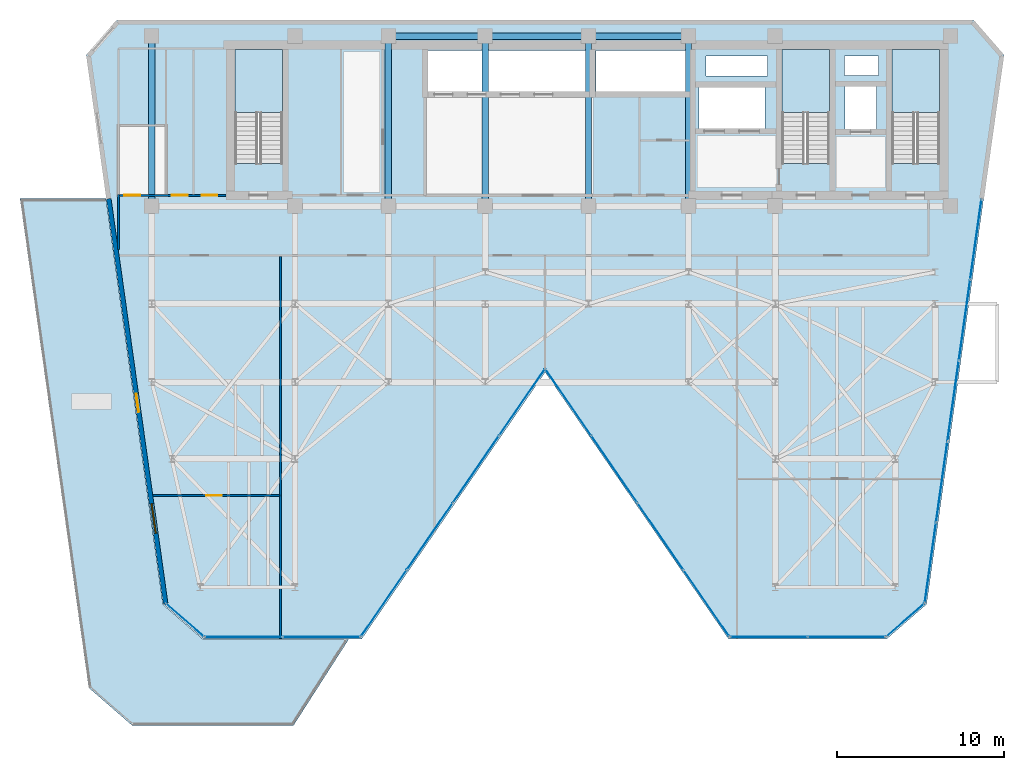
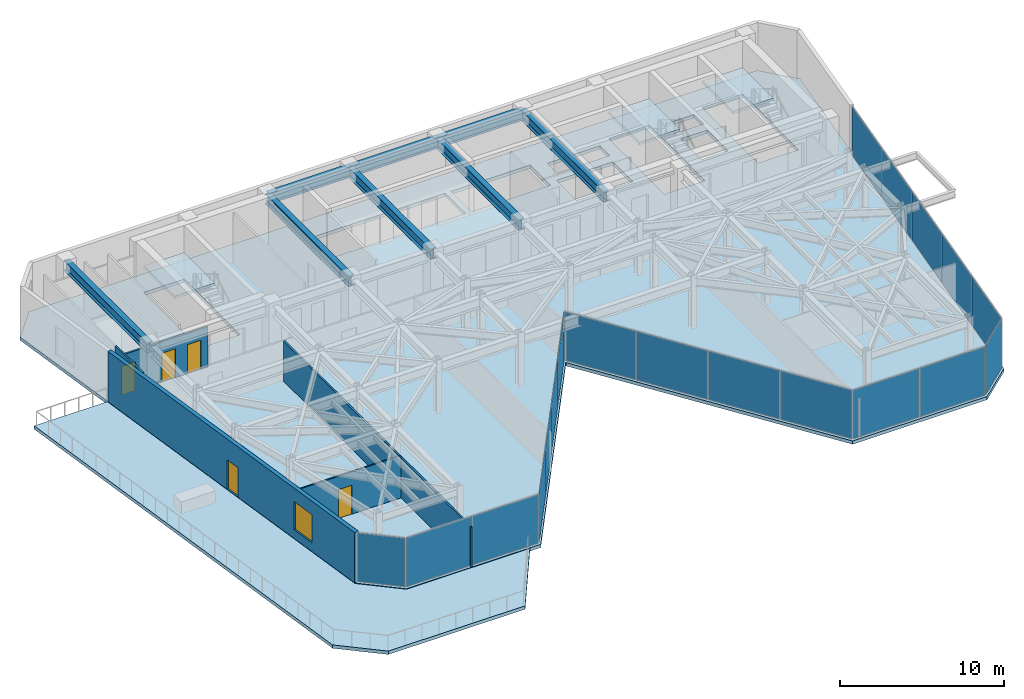
# One storey, part 16 of 21: 19 plates, 8 beams, 5 doors, 5 slabs, 5 walls, 1 window, 6 openings, 10 elements without a shape of their own.
"""IFC4 building model written with IfcOpenShell, lengths in metres."""

from ifc_helpers import new_model, si_unit, direction, frame, frame_2d, origin, origin_2d, place, context, subcontext, project, spatial, polyline, rectangle, i_section, outline, extrude, material, layer, layer_set, material_profile, profile_set, type_object, element, fill, aggregate, save


model = new_model("IFC4")

# Units and contexts
model_context = context("Model", 3, precision=1e-05, world=origin(), true_north=direction((0.0, 1.0)))
body_context = subcontext(model_context, "Body", "Model", "MODEL_VIEW")
ifc_project = project(units=[si_unit("LENGTHUNIT", "METRE"), si_unit("AREAUNIT", "SQUARE_METRE"), si_unit("VOLUMEUNIT", "CUBIC_METRE"), si_unit("PLANEANGLEUNIT", "RADIAN"), si_unit("MASSUNIT", "GRAM", prefix="KILO")], contexts=[model_context])

# Site, building, storey
site_placement = place(None, origin())
site = spatial("IfcSite", under=ifc_project, at=site_placement, CompositionType="ELEMENT")
building_placement = place(site_placement, origin())
building = spatial("IfcBuilding", under=site, at=building_placement, Name="Kravanh Interchange Tower", CompositionType="ELEMENT")
storey_placement = place(building_placement, frame((0.0, 0.0, 160.5)))
storey = spatial("IfcBuildingStorey", under=building, at=storey_placement, Name="L38", CompositionType="ELEMENT", Elevation=160.5)

# Beams
ifc_material_1 = material(Name="Structural Steel S355", Category="steel")
ifc_material_profile = material_profile(ifc_material_1, i_section(OverallWidth=0.381103515625, OverallDepth=0.77294921875, WebThickness=0.0166015625, FlangeThickness=0.027099609375, FilletRadius=0.02490234375, at=origin_2d()), Name="W30X173")
ifc_profile_set = profile_set([ifc_material_profile], Name="Structural Steel S355")
beam_type = type_object("IfcBeamType", Name="Floor Beam W30X173 Structural Steel S355", PredefinedType="BEAM", material=ifc_profile_set)
beam_1_placement = place(storey_placement, frame((50.800048828125, 47.550048828125, 3.368408203125), z_axis=(-1.0, 0.0, 0.0), x_axis=(0.0, -1.0, 0.0)))
element("IfcBeam", 1, at=beam_1_placement, inside=storey, type_object=beam_type, Name="L38 Primary Floor Girder 8", PredefinedType="BEAM", context=body_context, shape_type="SweptSolid", body=[
    extrude(i_section(OverallWidth=0.381103515625, OverallDepth=0.77294921875, WebThickness=0.0166015625, FlangeThickness=0.027099609375, FilletRadius=0.02490234375, at=origin_2d()), origin(), (0.0, 0.0, 1.0), 6.0),
])
for number, where, z_axis, x_axis, name in (
    (2, (50.800048828125, 47.550048828125, 3.368408203125), (0.0, -1.0, 0.0), (1.0, 0.0, 0.0), "L38 Primary Floor Girder 9"),
    (3, (44.800048828125, 37.35009765625, 3.368408203125), (0.0, 1.0, 0.0), (-1.0, 0.0, 0.0), "L38 Primary Floor Girder 14"),
):
    element("IfcBeam", number, at=place(storey_placement, frame(where, z_axis=z_axis, x_axis=x_axis)), inside=storey, type_object=beam_type, Name=name, PredefinedType="BEAM", context=body_context, shape_type="SweptSolid", body=[
        extrude(i_section(OverallWidth=0.381103515625, OverallDepth=0.77294921875, WebThickness=0.0166015625, FlangeThickness=0.027099609375, FilletRadius=0.02490234375, at=origin_2d()), origin(), (0.0, 0.0, 1.0), 10.199951171875),
    ])
beam_2_placement = place(storey_placement, frame((44.800048828125, 47.550048828125, 3.368408203125), z_axis=(-1.0, 0.0, 0.0), x_axis=(0.0, -1.0, 0.0)))
element("IfcBeam", 4, at=beam_2_placement, inside=storey, type_object=beam_type, Name="L38 Primary Floor Girder 15", PredefinedType="BEAM", context=body_context, shape_type="SweptSolid", body=[
    extrude(i_section(OverallWidth=0.381103515625, OverallDepth=0.77294921875, WebThickness=0.0166015625, FlangeThickness=0.027099609375, FilletRadius=0.02490234375, at=origin_2d()), origin(), (0.0, 0.0, 1.0), 6.199951171875),
])
beam_3_placement = place(storey_placement, frame((38.60009765625, 37.35009765625, 3.368408203125), z_axis=(0.0, 1.0, 0.0), x_axis=(-1.0, 0.0, 0.0)))
element("IfcBeam", 5, at=beam_3_placement, inside=storey, type_object=beam_type, Name="L38 Primary Floor Girder 18", PredefinedType="BEAM", context=body_context, shape_type="SweptSolid", body=[
    extrude(i_section(OverallWidth=0.381103515625, OverallDepth=0.77294921875, WebThickness=0.0166015625, FlangeThickness=0.027099609375, FilletRadius=0.02490234375, at=origin_2d()), origin(), (0.0, 0.0, 1.0), 10.199951171875),
])
beam_4_placement = place(storey_placement, frame((38.60009765625, 47.550048828125, 3.368408203125), z_axis=(-1.0, 0.0, 0.0), x_axis=(0.0, -1.0, 0.0)))
element("IfcBeam", 6, at=beam_4_placement, inside=storey, type_object=beam_type, Name="L38 Primary Floor Girder 19", PredefinedType="BEAM", context=body_context, shape_type="SweptSolid", body=[
    extrude(i_section(OverallWidth=0.381103515625, OverallDepth=0.77294921875, WebThickness=0.0166015625, FlangeThickness=0.027099609375, FilletRadius=0.02490234375, at=origin_2d()), origin(), (0.0, 0.0, 1.0), 5.800048828125),
])
for number, where, z_axis, x_axis, name in (
    (7, (32.800048828125, 37.35009765625, 3.368408203125), (0.0, 1.0, 0.0), (-1.0, 0.0, 0.0), "L38 Primary Floor Girder 22"),
    (8, (18.60009765625, 37.35009765625, 3.368408203125), (0.0, 1.0, 0.0), (-1.0, 0.0, 0.0), "L38 Primary Floor Girder 29"),
):
    element("IfcBeam", number, at=place(storey_placement, frame(where, z_axis=z_axis, x_axis=x_axis)), inside=storey, type_object=beam_type, Name=name, PredefinedType="BEAM", context=body_context, shape_type="SweptSolid", body=[
        extrude(i_section(OverallWidth=0.381103515625, OverallDepth=0.77294921875, WebThickness=0.0166015625, FlangeThickness=0.027099609375, FilletRadius=0.02490234375, at=origin_2d()), origin(), (0.0, 0.0, 1.0), 10.199951171875),
    ])

# Slab
ifc_material_2 = material(Name="Concrete C50/60", Category="concrete")
ifc_layer_1 = layer(ifc_material_2, 0.2451171875)
ifc_layer_set_1 = layer_set([ifc_layer_1], Name="Composite Floor Slab Concrete C50/60 245mm")
slab_type_1 = type_object("IfcSlabType", Name="Composite Floor Slab Concrete C50/60 245mm", PredefinedType="FLOOR", material=ifc_layer_set_1)
slab_1_placement = place(storey_placement, frame((0.0, 0.0, -0.2451171875)))
element("IfcSlab", 9, at=slab_1_placement, inside=storey, type_object=slab_type_1, Name="L38 Structural Floor Slab", PredefinedType="FLOOR", context=body_context, shape_type="SweptSolid", body=[
    extrude(outline(polyline([(19.32177734375, 13.4794921875), (21.714111328125, 11.39990234375), (31.199951171875, 11.39990234375), (42.199951171875, 27.39990234375), (53.199951171875, 11.39990234375), (62.685791015625, 11.39990234375), (65.078125, 13.4794921875), (69.707763671875, 46.42041015625), (67.89990234375, 48.5), (16.5, 48.5), (14.6923828125, 46.42041015625), (19.32177734375, 13.4794921875)]), holes=[polyline([(65.85009765625, 39.925048828125), (65.85009765625, 46.75), (63.0, 46.75), (63.0, 39.925048828125), (65.85009765625, 39.925048828125)]), polyline([(59.25, 39.925048828125), (59.25, 46.75), (56.39990234375, 46.75), (56.39990234375, 39.925048828125), (59.25, 39.925048828125)]), polyline([(26.449951171875, 39.925048828125), (26.449951171875, 46.75), (23.60009765625, 46.75), (23.60009765625, 39.925048828125), (26.449951171875, 39.925048828125)]), polyline([(35.179931640625, 44.219970703125), (44.840087890625, 44.219970703125), (44.840087890625, 46.699951171875), (35.179931640625, 46.699951171875), (35.179931640625, 44.219970703125)]), polyline([(45.239990234375, 44.219970703125), (50.840087890625, 44.219970703125), (50.840087890625, 46.699951171875), (45.239990234375, 46.699951171875), (45.239990234375, 44.219970703125)]), polyline([(51.419921875, 42.02001953125), (55.3798828125, 42.02001953125), (55.3798828125, 44.47998046875), (51.419921875, 44.47998046875), (51.419921875, 42.02001953125)]), polyline([(60.179931640625, 41.97998046875), (62.06005859375, 41.97998046875), (62.06005859375, 44.52001953125), (60.179931640625, 44.52001953125), (60.179931640625, 41.97998046875)]), polyline([(60.14990234375, 45.199951171875), (62.199951171875, 45.199951171875), (62.199951171875, 46.35009765625), (60.14990234375, 46.35009765625), (60.14990234375, 45.199951171875)]), polyline([(51.85009765625, 45.14990234375), (55.550048828125, 45.14990234375), (55.550048828125, 46.35009765625), (51.85009765625, 46.35009765625), (51.85009765625, 45.14990234375)])]), origin(), (0.0, 0.0, 1.0), 0.2451171875),
])

# Stair, slab
ifc_material_3 = material(Name="Concrete C50/60", Category="concrete")
stair_type = type_object("IfcStairType", Name="Core Fire Exit Dogleg Stair Concrete C50/60", PredefinedType="HALF_TURN_STAIR", material=ifc_material_3)
stair_1_placement = place(storey_placement, origin())
stair_1 = element("IfcStair", 10, at=stair_1_placement, inside=storey, type_object=stair_type, Name="L38 Exit Stair ST1", PredefinedType="HALF_TURN_STAIR")
ifc_material_4 = material(Name="Concrete C50/60", Category="concrete")
ifc_layer_2 = layer(ifc_material_4, 0.199951171875)
ifc_layer_set_2 = layer_set([ifc_layer_2], Name="Concrete C50/60 Stair Half-Landing Slab 200mm")
slab_type_2 = type_object("IfcSlabType", Name="Concrete C50/60 Stair Half-Landing Slab 200mm", PredefinedType="LANDING", material=ifc_layer_set_2)
slab_2_placement = place(storey_placement, frame((0.0, 0.0, 1.800048828125)))
slab_2 = element("IfcSlab", 11, at=slab_2_placement, type_object=slab_type_2, Name="ST1 landing 1", PredefinedType="LANDING", context=body_context, shape_type="SweptSolid", body=[
    extrude(outline(polyline([(65.85009765625, 42.97998046875), (65.85009765625, 46.75), (63.0, 46.75), (63.0, 42.97998046875), (65.85009765625, 42.97998046875)])), origin(), (0.0, 0.0, 1.0), 0.199951171875),
])
aggregate(stair_1, [slab_2])

stair_2_placement = place(storey_placement, origin())
stair_2 = element("IfcStair", 12, at=stair_2_placement, inside=storey, type_object=stair_type, Name="L38 Exit Stair ST2", PredefinedType="HALF_TURN_STAIR")
slab_3_placement = place(storey_placement, frame((0.0, 0.0, 1.800048828125)))
slab_3 = element("IfcSlab", 13, at=slab_3_placement, type_object=slab_type_2, Name="ST2 landing 1", PredefinedType="LANDING", context=body_context, shape_type="SweptSolid", body=[
    extrude(outline(polyline([(59.25, 42.97998046875), (59.25, 46.75), (56.39990234375, 46.75), (56.39990234375, 42.97998046875), (59.25, 42.97998046875)])), origin(), (0.0, 0.0, 1.0), 0.199951171875),
])
aggregate(stair_2, [slab_3])

stair_3_placement = place(storey_placement, origin())
stair_3 = element("IfcStair", 14, at=stair_3_placement, inside=storey, type_object=stair_type, Name="L38 Exit Stair ST3", PredefinedType="HALF_TURN_STAIR")
slab_4_placement = place(storey_placement, frame((0.0, 0.0, 1.800048828125)))
slab_4 = element("IfcSlab", 15, at=slab_4_placement, type_object=slab_type_2, Name="ST3 landing 1", PredefinedType="LANDING", context=body_context, shape_type="SweptSolid", body=[
    extrude(outline(polyline([(26.449951171875, 42.97998046875), (26.449951171875, 46.75), (23.60009765625, 46.75), (23.60009765625, 42.97998046875), (26.449951171875, 42.97998046875)])), origin(), (0.0, 0.0, 1.0), 0.199951171875),
])
aggregate(stair_3, [slab_4])

# Curtain wall, plates
ifc_material_5 = material(Name="Anodised Bronze Aluminium", Category="aluminium")
ifc_layer_3 = layer(ifc_material_5, 0.179931640625)
ifc_layer_set_3 = layer_set([ifc_layer_3], Name="Unitised Curtain Wall System CW-Z3 Upper Office")
curtain_wall_type = type_object("IfcCurtainWallType", Name="Unitised Curtain Wall System CW-Z3 Upper Office", PredefinedType="NOTDEFINED", material=ifc_layer_set_3)
curtain_wall_1_placement = place(storey_placement, origin())
curtain_wall_1 = element("IfcCurtainWall", 16, at=curtain_wall_1_placement, inside=storey, type_object=curtain_wall_type, Name="L38 Unitised Curtain Wall CW-L38-01", PredefinedType="NOTDEFINED")
ifc_material_6 = material(Name="Low-E Laminated Architectural Glass", Category="glass")
ifc_layer_4 = layer(ifc_material_6, 0.02392578125)
ifc_layer_set_4 = layer_set([ifc_layer_4], Name="High-Selectivity Double Glazing 24mm")
plate_type = type_object("IfcPlateType", Name="High-Selectivity Double Glazing 24mm", PredefinedType="CURTAIN_PANEL", material=ifc_layer_set_4)
plate_1_placement = place(storey_placement, frame((68.031982421875, 35.359130859375, 0.06005859375), z_axis=(0.0, 0.0, 1.0), x_axis=(-0.139172209446, -0.990268194035, 0.0)))
plate_1 = element("IfcPlate", 17, at=plate_1_placement, type_object=plate_type, Name="CW-Z3 panel 1.1", PredefinedType="CURTAIN_PANEL", context=body_context, shape_type="SweptSolid", body=[
    extrude(rectangle(XDim=4.8095703125, YDim=0.02392578125, at=origin_2d()), origin(), (0.0, 0.0, 1.0), 3.635009765625),
])
plate_2_placement = place(storey_placement, frame((67.352294921875, 30.522216796875, 0.06005859375), z_axis=(0.0, 0.0, 1.0), x_axis=(-0.139172209446, -0.990268194035, 0.0)))
plate_2 = element("IfcPlate", 18, at=plate_2_placement, type_object=plate_type, Name="CW-Z3 panel 2.1", PredefinedType="CURTAIN_PANEL", context=body_context, shape_type="SweptSolid", body=[
    extrude(rectangle(XDim=4.839599609375, YDim=0.02392578125, at=origin_2d()), origin(), (0.0, 0.0, 1.0), 3.635009765625),
])
plate_3_placement = place(storey_placement, frame((66.67041015625, 25.67041015625, 0.06005859375), z_axis=(0.0, 0.0, 1.0), x_axis=(-0.139172209446, -0.990268194035, 0.0)))
plate_3 = element("IfcPlate", 19, at=plate_3_placement, type_object=plate_type, Name="CW-Z3 panel 3.1", PredefinedType="CURTAIN_PANEL", context=body_context, shape_type="SweptSolid", body=[
    extrude(rectangle(XDim=4.839599609375, YDim=0.02392578125, at=origin_2d()), origin(), (0.0, 0.0, 1.0), 3.635009765625),
])
plate_4_placement = place(storey_placement, frame((65.988525390625, 20.818603515625, 0.06005859375), z_axis=(0.0, 0.0, 1.0), x_axis=(-0.139172209446, -0.990268194035, 0.0)))
plate_4 = element("IfcPlate", 20, at=plate_4_placement, type_object=plate_type, Name="CW-Z3 panel 4.1", PredefinedType="CURTAIN_PANEL", context=body_context, shape_type="SweptSolid", body=[
    extrude(rectangle(XDim=4.839599609375, YDim=0.02392578125, at=origin_2d()), origin(), (0.0, 0.0, 1.0), 3.635009765625),
])
plate_5_placement = place(storey_placement, frame((65.30859375, 15.9814453125, 0.06005859375), z_axis=(0.0, 0.0, 1.0), x_axis=(-0.139172209446, -0.990268194035, 0.0)))
plate_5 = element("IfcPlate", 21, at=plate_5_placement, type_object=plate_type, Name="CW-Z3 panel 5.1", PredefinedType="CURTAIN_PANEL", context=body_context, shape_type="SweptSolid", body=[
    extrude(rectangle(XDim=4.8095703125, YDim=0.02392578125, at=origin_2d()), origin(), (0.0, 0.0, 1.0), 3.635009765625),
])
aggregate(curtain_wall_1, [plate_1, plate_2, plate_3, plate_4, plate_5])

# Curtain wall, plate
curtain_wall_2_placement = place(storey_placement, origin())
curtain_wall_2 = element("IfcCurtainWall", 22, at=curtain_wall_2_placement, inside=storey, type_object=curtain_wall_type, Name="L38 Unitised Curtain Wall CW-L38-02", PredefinedType="NOTDEFINED")
plate_6_placement = place(storey_placement, frame((63.80322265625, 12.5302734375, 0.06005859375), z_axis=(0.0, 0.0, 1.0), x_axis=(-0.754716645379, -0.65605090137, 0.0)))
plate_6 = element("IfcPlate", 23, at=plate_6_placement, type_object=plate_type, Name="CW-Z3 panel 1.1", PredefinedType="CURTAIN_PANEL", context=body_context, shape_type="SweptSolid", body=[
    extrude(rectangle(XDim=2.960205078125, YDim=0.02392578125, at=origin_2d()), origin(), (0.0, 0.0, 1.0), 3.635009765625),
])
aggregate(curtain_wall_2, [plate_6])

# Curtain wall, plates
curtain_wall_3_placement = place(storey_placement, origin())
curtain_wall_3 = element("IfcCurtainWall", 24, at=curtain_wall_3_placement, inside=storey, type_object=curtain_wall_type, Name="L38 Unitised Curtain Wall CW-L38-03", PredefinedType="NOTDEFINED")
plate_7_placement = place(storey_placement, frame((60.281494140625, 11.52001953125, 0.06005859375), z_axis=(0.0, 0.0, 1.0), x_axis=(-1.0, 0.0, 0.0)))
plate_7 = element("IfcPlate", 25, at=plate_7_placement, type_object=plate_type, Name="CW-Z3 panel 1.1", PredefinedType="CURTAIN_PANEL", context=body_context, shape_type="SweptSolid", body=[
    extrude(rectangle(XDim=4.598876953125, YDim=0.02392578125, at=origin_2d()), origin(), (0.0, 0.0, 1.0), 3.635009765625),
])
plate_8_placement = place(storey_placement, frame((55.62255859375, 11.52001953125, 0.06005859375), z_axis=(0.0, 0.0, 1.0), x_axis=(-1.0, 0.0, 0.0)))
plate_8 = element("IfcPlate", 26, at=plate_8_placement, type_object=plate_type, Name="CW-Z3 panel 2.1", PredefinedType="CURTAIN_PANEL", context=body_context, shape_type="SweptSolid", body=[
    extrude(rectangle(XDim=4.598876953125, YDim=0.02392578125, at=origin_2d()), origin(), (0.0, 0.0, 1.0), 3.635009765625),
])
aggregate(curtain_wall_3, [plate_7, plate_8])

curtain_wall_4_placement = place(storey_placement, origin())
curtain_wall_4 = element("IfcCurtainWall", 27, at=curtain_wall_4_placement, inside=storey, type_object=curtain_wall_type, Name="L38 Unitised Curtain Wall CW-L38-04", PredefinedType="NOTDEFINED")
plate_9_placement = place(storey_placement, frame((51.871826171875, 13.5439453125, 0.06005859375), z_axis=(0.0, 0.0, 1.0), x_axis=(-0.566528388217, 0.824042223035, 0.0)))
plate_9 = element("IfcPlate", 28, at=plate_9_placement, type_object=plate_type, Name="CW-Z3 panel 1.1", PredefinedType="CURTAIN_PANEL", context=body_context, shape_type="SweptSolid", body=[
    extrude(rectangle(XDim=4.7919921875, YDim=0.02392578125, at=origin_2d()), origin(), (0.0, 0.0, 1.0), 3.635009765625),
])
plate_10_placement = place(storey_placement, frame((49.114501953125, 17.554443359375, 0.06005859375), z_axis=(0.0, 0.0, 1.0), x_axis=(-0.566528388217, 0.824042223035, 0.0)))
plate_10 = element("IfcPlate", 29, at=plate_10_placement, type_object=plate_type, Name="CW-Z3 panel 2.1", PredefinedType="CURTAIN_PANEL", context=body_context, shape_type="SweptSolid", body=[
    extrude(rectangle(XDim=4.822021484375, YDim=0.02392578125, at=origin_2d()), origin(), (0.0, 0.0, 1.0), 3.635009765625),
])
plate_11_placement = place(storey_placement, frame((46.3486328125, 21.577392578125, 0.06005859375), z_axis=(0.0, 0.0, 1.0), x_axis=(-0.566528388217, 0.824042223035, 0.0)))
plate_11 = element("IfcPlate", 30, at=plate_11_placement, type_object=plate_type, Name="CW-Z3 panel 3.1", PredefinedType="CURTAIN_PANEL", context=body_context, shape_type="SweptSolid", body=[
    extrude(rectangle(XDim=4.822021484375, YDim=0.02392578125, at=origin_2d()), origin(), (0.0, 0.0, 1.0), 3.635009765625),
])
plate_12_placement = place(storey_placement, frame((43.59130859375, 25.587890625, 0.06005859375), z_axis=(0.0, 0.0, 1.0), x_axis=(-0.566528388217, 0.824042223035, 0.0)))
plate_12 = element("IfcPlate", 31, at=plate_12_placement, type_object=plate_type, Name="CW-Z3 panel 4.1", PredefinedType="CURTAIN_PANEL", context=body_context, shape_type="SweptSolid", body=[
    extrude(rectangle(XDim=4.7919921875, YDim=0.02392578125, at=origin_2d()), origin(), (0.0, 0.0, 1.0), 3.635009765625),
])
aggregate(curtain_wall_4, [plate_9, plate_10, plate_11, plate_12])

curtain_wall_5_placement = place(storey_placement, origin())
curtain_wall_5 = element("IfcCurtainWall", 32, at=curtain_wall_5_placement, inside=storey, type_object=curtain_wall_type, Name="L38 Unitised Curtain Wall CW-L38-05", PredefinedType="NOTDEFINED")
plate_13_placement = place(storey_placement, frame((40.80859375, 25.587890625, 0.06005859375), z_axis=(0.0, 0.0, 1.0), x_axis=(-0.566528388217, -0.824042223035, 0.0)))
plate_13 = element("IfcPlate", 33, at=plate_13_placement, type_object=plate_type, Name="CW-Z3 panel 1.1", PredefinedType="CURTAIN_PANEL", context=body_context, shape_type="SweptSolid", body=[
    extrude(rectangle(XDim=4.7919921875, YDim=0.02392578125, at=origin_2d()), origin(), (0.0, 0.0, 1.0), 3.635009765625),
])
plate_14_placement = place(storey_placement, frame((38.05126953125, 21.577392578125, 0.06005859375), z_axis=(0.0, 0.0, 1.0), x_axis=(-0.566528388217, -0.824042223035, 0.0)))
plate_14 = element("IfcPlate", 34, at=plate_14_placement, type_object=plate_type, Name="CW-Z3 panel 2.1", PredefinedType="CURTAIN_PANEL", context=body_context, shape_type="SweptSolid", body=[
    extrude(rectangle(XDim=4.822021484375, YDim=0.02392578125, at=origin_2d()), origin(), (0.0, 0.0, 1.0), 3.635009765625),
])
plate_15_placement = place(storey_placement, frame((35.28564453125, 17.554443359375, 0.06005859375), z_axis=(0.0, 0.0, 1.0), x_axis=(-0.566528388217, -0.824042223035, 0.0)))
plate_15 = element("IfcPlate", 35, at=plate_15_placement, type_object=plate_type, Name="CW-Z3 panel 3.1", PredefinedType="CURTAIN_PANEL", context=body_context, shape_type="SweptSolid", body=[
    extrude(rectangle(XDim=4.822021484375, YDim=0.02392578125, at=origin_2d()), origin(), (0.0, 0.0, 1.0), 3.635009765625),
])
plate_16_placement = place(storey_placement, frame((32.5283203125, 13.5439453125, 0.06005859375), z_axis=(0.0, 0.0, 1.0), x_axis=(-0.566528388217, -0.824042223035, 0.0)))
plate_16 = element("IfcPlate", 36, at=plate_16_placement, type_object=plate_type, Name="CW-Z3 panel 4.1", PredefinedType="CURTAIN_PANEL", context=body_context, shape_type="SweptSolid", body=[
    extrude(rectangle(XDim=4.7919921875, YDim=0.02392578125, at=origin_2d()), origin(), (0.0, 0.0, 1.0), 3.635009765625),
])
aggregate(curtain_wall_5, [plate_13, plate_14, plate_15, plate_16])

curtain_wall_6_placement = place(storey_placement, origin())
curtain_wall_6 = element("IfcCurtainWall", 37, at=curtain_wall_6_placement, inside=storey, type_object=curtain_wall_type, Name="L38 Unitised Curtain Wall CW-L38-06", PredefinedType="NOTDEFINED")
plate_17_placement = place(storey_placement, frame((28.77734375, 11.52001953125, 0.06005859375), z_axis=(0.0, 0.0, 1.0), x_axis=(-1.0, 0.0, 0.0)))
plate_17 = element("IfcPlate", 38, at=plate_17_placement, type_object=plate_type, Name="CW-Z3 panel 1.1", PredefinedType="CURTAIN_PANEL", context=body_context, shape_type="SweptSolid", body=[
    extrude(rectangle(XDim=4.598876953125, YDim=0.02392578125, at=origin_2d()), origin(), (0.0, 0.0, 1.0), 3.635009765625),
])
plate_18_placement = place(storey_placement, frame((24.118408203125, 11.52001953125, 0.06005859375), z_axis=(0.0, 0.0, 1.0), x_axis=(-1.0, 0.0, 0.0)))
plate_18 = element("IfcPlate", 39, at=plate_18_placement, type_object=plate_type, Name="CW-Z3 panel 2.1", PredefinedType="CURTAIN_PANEL", context=body_context, shape_type="SweptSolid", body=[
    extrude(rectangle(XDim=4.598876953125, YDim=0.02392578125, at=origin_2d()), origin(), (0.0, 0.0, 1.0), 3.635009765625),
])
aggregate(curtain_wall_6, [plate_17, plate_18])

# Curtain wall, plate
curtain_wall_7_placement = place(storey_placement, origin())
curtain_wall_7 = element("IfcCurtainWall", 40, at=curtain_wall_7_placement, inside=storey, type_object=curtain_wall_type, Name="L38 Unitised Curtain Wall CW-L38-07", PredefinedType="NOTDEFINED")
plate_19_placement = place(storey_placement, frame((20.5966796875, 12.5302734375, 0.06005859375), z_axis=(0.0, 0.0, 1.0), x_axis=(-0.754716645379, 0.65605090137, 0.0)))
plate_19 = element("IfcPlate", 41, at=plate_19_placement, type_object=plate_type, Name="CW-Z3 panel 1.1", PredefinedType="CURTAIN_PANEL", context=body_context, shape_type="SweptSolid", body=[
    extrude(rectangle(XDim=2.960205078125, YDim=0.02392578125, at=origin_2d()), origin(), (0.0, 0.0, 1.0), 3.635009765625),
])
aggregate(curtain_wall_7, [plate_19])

# Slab
ifc_material_7 = material(Name="Concrete C50/60", Category="concrete")
ifc_layer_5 = layer(ifc_material_7, 0.25)
ifc_layer_set_5 = layer_set([ifc_layer_5], Name="Insulated Terrace Roof Slab Concrete C50/60 250mm")
slab_type_3 = type_object("IfcSlabType", Name="Insulated Terrace Roof Slab Concrete C50/60 250mm", PredefinedType="ROOF", material=ifc_layer_set_5)
slab_5_placement = place(storey_placement, frame((0.0, 0.0, -0.25)))
element("IfcSlab", 42, at=slab_5_placement, inside=storey, type_object=slab_type_3, Name="L38 Stepped Terrace Roof 1", PredefinedType="ROOF", context=body_context, shape_type="SweptSolid", body=[
    extrude(outline(polyline([(17.44482421875, 6.199951171875), (14.82470703125, 8.4775390625), (10.703857421875, 37.800048828125), (15.86328125, 37.800048828125), (19.2841796875, 13.459228515625), (21.69921875, 11.360107421875), (30.40771484375, 11.360107421875), (27.10009765625, 6.199951171875), (17.44482421875, 6.199951171875)])), origin(), (0.0, 0.0, 1.0), 0.25),
])

# Wall, openings, doors
ifc_material_8 = material(Name="Double Acoustic Gypsum Board and Mineral Wool")
ifc_layer_6 = layer(ifc_material_8, 0.1201171875)
ifc_layer_set_6 = layer_set([ifc_layer_6], Name="Acoustic Office Drywall Partition 120mm")
wall_type_1 = type_object("IfcWallType", Name="Acoustic Office Drywall Partition 120mm", PredefinedType="PARTITIONING", material=ifc_layer_set_6)
wall_1_placement = place(storey_placement, frame((16.6201171875, 38.0, 0.0), z_axis=(0.0, 0.0, 1.0), x_axis=(1.0, 0.0, 0.0)))
wall_1 = element("IfcWall", 43, at=wall_1_placement, inside=storey, type_object=wall_type_1, Name="L38 Restroom Corridor Wall 9", PredefinedType="PARTITIONING", context=body_context, shape_type="SweptSolid", body=[
    extrude(rectangle(XDim=6.429931640625, YDim=0.1201171875, at=frame_2d((3.21484375, 0.0))), origin(), (0.0, 0.0, 1.0), 2.98193359375),
])
opening_1_placement = place(wall_1_placement, frame((0.348876953125, 0.0, 0.0)))
opening_1 = element("IfcOpeningElement", 44, at=opening_1_placement, cuts=wall_1, Name="Opening D-95", PredefinedType="OPENING", context=body_context, shape_type="SweptSolid", body=[
    extrude(rectangle(XDim=0.949951171875, YDim=2.14990234375, at=frame_2d((0.47509765625, 1.074951171875))), frame((0.0, 0.070068359375, 0.0), z_axis=(0.0, -1.0, 0.0), x_axis=(1.0, 0.0, 0.0)), (0.0, 0.0, 1.0), 0.14013671875),
])
opening_2_placement = place(wall_1_placement, frame((3.18505859375, 0.0, 0.0)))
opening_2 = element("IfcOpeningElement", 45, at=opening_2_placement, cuts=wall_1, Name="Opening D-95", PredefinedType="OPENING", context=body_context, shape_type="SweptSolid", body=[
    extrude(rectangle(XDim=0.949951171875, YDim=2.14990234375, at=frame_2d((0.47509765625, 1.074951171875))), frame((0.0, 0.070068359375, 0.0), z_axis=(0.0, -1.0, 0.0), x_axis=(1.0, 0.0, 0.0)), (0.0, 0.0, 1.0), 0.14013671875),
])
opening_3_placement = place(wall_1_placement, frame((4.97509765625, 0.0, 0.0)))
opening_3 = element("IfcOpeningElement", 46, at=opening_3_placement, cuts=wall_1, Name="Opening D-95", PredefinedType="OPENING", context=body_context, shape_type="SweptSolid", body=[
    extrude(rectangle(XDim=0.949951171875, YDim=2.14990234375, at=frame_2d((0.47509765625, 1.074951171875))), frame((0.0, 0.070068359375, 0.0), z_axis=(0.0, -1.0, 0.0), x_axis=(1.0, 0.0, 0.0)), (0.0, 0.0, 1.0), 0.14013671875),
])
ifc_material_9 = material(Name="Laminate Solid-Core Timber", Category="wood")
door_type_1 = type_object("IfcDoorType", Name="Accessible Restroom Door 950x2150", OperationType="NOTDEFINED", PredefinedType="DOOR", material=ifc_material_9)
door_1_placement = place(opening_1_placement, origin())
door_1 = element("IfcDoor", 47, at=door_1_placement, inside=storey, type_object=door_type_1, Name="L38 Accessible WC Door", OperationType="SINGLE_SWING_LEFT", OverallHeight=2.14990234375, OverallWidth=0.949951171875, PredefinedType="DOOR", context=body_context, shape_type="SweptSolid", body=[
    extrude(rectangle(XDim=0.949951171875, YDim=2.14990234375, at=frame_2d((0.47509765625, 1.074951171875))), frame((0.0, 0.02490234375, 0.0), z_axis=(0.0, -1.0, 0.0), x_axis=(1.0, 0.0, 0.0)), (0.0, 0.0, 1.0), 0.050048828125),
])
fill(opening_1, door_1)
door_2_placement = place(opening_2_placement, origin())
door_2 = element("IfcDoor", 48, at=door_2_placement, inside=storey, type_object=door_type_1, Name="L38 Female WC Door", OperationType="SINGLE_SWING_RIGHT", OverallHeight=2.14990234375, OverallWidth=0.949951171875, PredefinedType="DOOR", context=body_context, shape_type="SweptSolid", body=[
    extrude(rectangle(XDim=0.949951171875, YDim=2.14990234375, at=frame_2d((0.47509765625, 1.074951171875))), frame((0.0, 0.02490234375, 0.0), z_axis=(0.0, -1.0, 0.0), x_axis=(1.0, 0.0, 0.0)), (0.0, 0.0, 1.0), 0.050048828125),
])
fill(opening_2, door_2)
door_3_placement = place(opening_3_placement, origin())
door_3 = element("IfcDoor", 49, at=door_3_placement, inside=storey, type_object=door_type_1, Name="L38 Male WC Door", OperationType="SINGLE_SWING_LEFT", OverallHeight=2.14990234375, OverallWidth=0.949951171875, PredefinedType="DOOR", context=body_context, shape_type="SweptSolid", body=[
    extrude(rectangle(XDim=0.949951171875, YDim=2.14990234375, at=frame_2d((0.47509765625, 1.074951171875))), frame((0.0, 0.02490234375, 0.0), z_axis=(0.0, -1.0, 0.0), x_axis=(1.0, 0.0, 0.0)), (0.0, 0.0, 1.0), 0.050048828125),
])
fill(opening_3, door_3)

# Walls
wall_2_placement = place(storey_placement, frame((16.6201171875, 34.751953125, 0.0), z_axis=(0.0, 0.0, 1.0), x_axis=(0.0, 1.0, 0.0)))
element("IfcWall", 50, at=wall_2_placement, inside=storey, type_object=wall_type_1, Name="L38 Interior Partition 17", PredefinedType="PARTITIONING", context=body_context, shape_type="SweptSolid", body=[
    extrude(rectangle(XDim=3.298095703125, YDim=0.1201171875, at=frame_2d((1.64892578125, 0.0))), origin(), (0.0, 0.0, 1.0), 3.7548828125),
])
wall_3_placement = place(storey_placement, frame((26.340087890625, 11.4150390625, 0.0), z_axis=(0.0, 0.0, 1.0), x_axis=(0.0, 1.0, 0.0)))
element("IfcWall", 51, at=wall_3_placement, inside=storey, type_object=wall_type_1, Name="L38 Interior Partition 21", PredefinedType="PARTITIONING", context=body_context, shape_type="SweptSolid", body=[
    extrude(rectangle(XDim=22.9169921875, YDim=0.1201171875, at=frame_2d((11.45849609375, 0.0))), origin(), (0.0, 0.0, 1.0), 2.98193359375),
])

# Wall, opening, door
ifc_material_10 = material(Name="Moisture-Resistant Gypsum Board and Mineral Wool")
ifc_layer_7 = layer(ifc_material_10, 0.10009765625)
ifc_layer_set_7 = layer_set([ifc_layer_7], Name="En-Suite Moisture-Resistant Partition 100mm")
wall_type_2 = type_object("IfcWallType", Name="En-Suite Moisture-Resistant Partition 100mm", PredefinedType="PARTITIONING", material=ifc_layer_set_7)
wall_4_placement = place(storey_placement, frame((18.693115234375, 20.0, 0.0), z_axis=(0.0, 0.0, 1.0), x_axis=(1.0, 0.0, 0.0)))
wall_4 = element("IfcWall", 52, at=wall_4_placement, inside=storey, type_object=wall_type_2, Name="L38 Interior Partition 20", PredefinedType="PARTITIONING", context=body_context, shape_type="SweptSolid", body=[
    extrude(rectangle(XDim=7.578857421875, YDim=0.10009765625, at=frame_2d((3.78955078125, 0.0))), origin(), (0.0, 0.0, 1.0), 3.14697265625),
])
opening_4_placement = place(wall_4_placement, frame((3.172119140625, 0.0, 0.0)))
opening_4 = element("IfcOpeningElement", 53, at=opening_4_placement, cuts=wall_4, Name="Opening D-95", PredefinedType="OPENING", context=body_context, shape_type="SweptSolid", body=[
    extrude(rectangle(XDim=0.949951171875, YDim=2.14990234375, at=frame_2d((0.47509765625, 1.074951171875))), frame((0.0, 0.06005859375, 0.0), z_axis=(0.0, -1.0, 0.0), x_axis=(1.0, 0.0, 0.0)), (0.0, 0.0, 1.0), 0.1201171875),
])
door_4_placement = place(opening_4_placement, origin())
door_4 = element("IfcDoor", 54, at=door_4_placement, inside=storey, type_object=door_type_1, Name="L38 SW Review Meeting Inner Door", OperationType="SINGLE_SWING_LEFT", OverallHeight=2.14990234375, OverallWidth=0.949951171875, PredefinedType="DOOR", context=body_context, shape_type="SweptSolid", body=[
    extrude(rectangle(XDim=0.949951171875, YDim=2.14990234375, at=frame_2d((0.47509765625, 1.074951171875))), frame((0.0, 0.02490234375, 0.0), z_axis=(0.0, -1.0, 0.0), x_axis=(1.0, 0.0, 0.0)), (0.0, 0.0, 1.0), 0.050048828125),
])
fill(opening_4, door_4)

# Wall, openings, door, window
ifc_material_11 = material(Name="Insulated Precast Concrete C40/50 with Bronze Cladding", Category="concrete")
ifc_layer_8 = layer(ifc_material_11, 0.280029296875)
ifc_layer_set_8 = layer_set([ifc_layer_8], Name="Exterior Insulated Concrete C40/50 Bronze Spandrel Wall 280mm")
wall_type_3 = type_object("IfcWallType", Name="Exterior Insulated Concrete C40/50 Bronze Spandrel Wall 280mm", PredefinedType="STANDARD", material=ifc_layer_set_8)
wall_5_placement = place(storey_placement, frame((19.434326171875, 13.540771484375, 0.0), z_axis=(0.0, 0.0, 1.0), x_axis=(-0.139173290738, 0.99026804207, 0.0)))
wall_5 = element("IfcWall", 55, at=wall_5_placement, inside=storey, type_object=wall_type_3, Name="L38 Exterior Wall 1", PredefinedType="STANDARD", context=body_context, shape_type="SweptSolid", body=[
    extrude(rectangle(XDim=24.497802734375, YDim=0.280029296875, at=frame_2d((12.2490234375, 0.0))), origin(), (0.0, 0.0, 1.0), 3.7548828125),
])
opening_5_placement = place(wall_5_placement, frame((11.578369140625, 0.0, 0.0)))
opening_5 = element("IfcOpeningElement", 56, at=opening_5_placement, cuts=wall_5, Name="Opening ED-TERR110", PredefinedType="OPENING", context=body_context, shape_type="SweptSolid", body=[
    extrude(rectangle(XDim=1.10009765625, YDim=2.199951171875, at=frame_2d((0.550048828125, 1.10009765625))), frame((0.0, 0.14990234375, 0.0), z_axis=(0.0, -1.0, 0.0), x_axis=(1.0, 0.0, 0.0)), (0.0, 0.0, 1.0), 0.300048828125),
])
opening_6_placement = place(wall_5_placement, frame((4.231201171875, 0.0, 0.64990234375)))
opening_6 = element("IfcOpeningElement", 57, at=opening_6_placement, cuts=wall_5, Name="Opening WN-180X210", PredefinedType="OPENING", context=body_context, shape_type="SweptSolid", body=[
    extrude(rectangle(XDim=1.800048828125, YDim=2.10009765625, at=frame_2d((0.89990234375, 1.050048828125))), frame((0.0, 0.14990234375, 0.0), z_axis=(0.0, -1.0, 0.0), x_axis=(1.0, 0.0, 0.0)), (0.0, 0.0, 1.0), 0.300048828125),
])
ifc_material_12 = material(Name="Thermally Broken Bronze Aluminium and Laminated Glass", Category="aluminium")
door_type_2 = type_object("IfcDoorType", Name="Terrace Access Glazed Door 1100x2200", OperationType="NOTDEFINED", PredefinedType="DOOR", material=ifc_material_12)
door_5_placement = place(opening_5_placement, origin())
door_5 = element("IfcDoor", 58, at=door_5_placement, inside=storey, type_object=door_type_2, Name="L38 Stepped Sky Terrace Access Door", OperationType="SINGLE_SWING_RIGHT", OverallHeight=2.199951171875, OverallWidth=1.10009765625, PredefinedType="DOOR", context=body_context, shape_type="SweptSolid", body=[
    extrude(rectangle(XDim=1.10009765625, YDim=2.199951171875, at=frame_2d((0.550048828125, 1.10009765625))), frame((0.0, 0.02490234375, 0.0), z_axis=(0.0, -1.0, 0.0), x_axis=(1.0, 0.0, 0.0)), (0.0, 0.0, 1.0), 0.050048828125),
])
fill(opening_5, door_5)
ifc_material_13 = material(Name="Thermally Broken Bronze Aluminium and Low-E Glass", Category="aluminium")
window_type = type_object("IfcWindowType", Name="Tower Pier Window 1800x2100", PartitioningType="SINGLE_PANEL", PredefinedType="WINDOW", material=ifc_material_13)
window_placement = place(opening_6_placement, origin())
window = element("IfcWindow", 59, at=window_placement, inside=storey, type_object=window_type, Name="L38 Terrace Facade Window", OverallHeight=2.10009765625, OverallWidth=1.800048828125, PartitioningType="SINGLE_PANEL", PredefinedType="WINDOW", context=body_context, shape_type="SweptSolid", body=[
    extrude(rectangle(XDim=1.800048828125, YDim=2.10009765625, at=frame_2d((0.89990234375, 1.050048828125))), frame((0.0, 0.030029296875, 0.0), z_axis=(0.0, -1.0, 0.0), x_axis=(1.0, 0.0, 0.0)), (0.0, 0.0, 1.0), 0.06005859375),
])
fill(opening_6, window)

save(model, "model.ifc")
